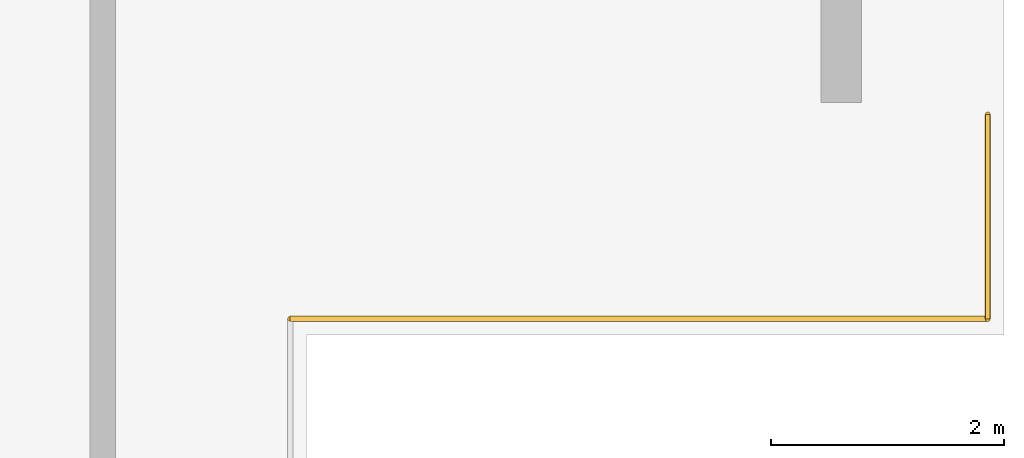
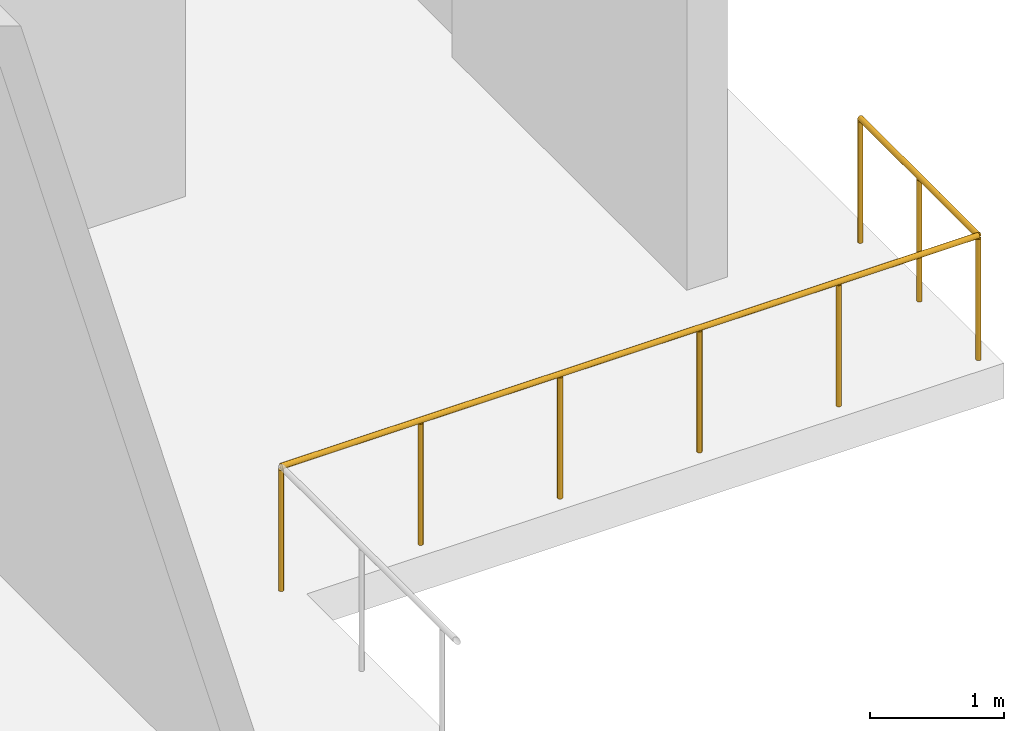
# One storey, part 24 of 27: 2 railings.
"""IFC4 building model written with IfcOpenShell, lengths in metres."""

from ifc_helpers import new_model, si_unit, direction, frame, origin, origin_2d, place, context, subcontext, project, spatial, circle, extrude, material, type_object, element, save


model = new_model("IFC4")

# Units and contexts
model_context = context("Model", 3, precision=1e-05, world=origin(), true_north=direction((0.0, 1.0)))
body_context = subcontext(model_context, "Body", "Model", "MODEL_VIEW")
ifc_project = project(units=[si_unit("LENGTHUNIT", "METRE"), si_unit("AREAUNIT", "SQUARE_METRE"), si_unit("VOLUMEUNIT", "CUBIC_METRE"), si_unit("PLANEANGLEUNIT", "RADIAN"), si_unit("MASSUNIT", "GRAM", prefix="KILO")], contexts=[model_context])

# Site, building, storey
site_placement = place(None, origin())
site = spatial("IfcSite", under=ifc_project, at=site_placement, CompositionType="ELEMENT")
building_placement = place(site_placement, origin())
building = spatial("IfcBuilding", under=site, at=building_placement, Name="Mirazonda Arch Towers", CompositionType="ELEMENT")
storey_placement = place(building_placement, origin())
storey = spatial("IfcBuildingStorey", under=building, at=storey_placement, Name="L00", CompositionType="ELEMENT", Elevation=0.0)

# Railings
ifc_material = material(Name="Architectural Brushed Steel S355", Category="steel")
railing_type = type_object("IfcRailingType", Name="GUARD-EXT-1150", PredefinedType="GUARDRAIL", material=ifc_material)
railing_1_placement = place(storey_placement, frame((94.860107421875, 7.139892578125, 0.0)))
element("IfcRailing", 1, at=railing_1_placement, inside=storey, type_object=railing_type, Name="L00 L00 Podium Edge Guard 9 03", PredefinedType="GUARDRAIL", context=body_context, shape_type="SweptSolid", body=[
    extrude(circle(Radius=0.02392578125, at=origin_2d()), frame((0.0, 0.0, 1.1259765625), z_axis=(1.0, 0.0, 0.0), x_axis=(0.0, 1.0, 0.0)), (0.0, 0.0, 1.0), 6.0),
    extrude(circle(Radius=0.02099609375, at=origin_2d()), origin(), (0.0, 0.0, 1.0), 1.101806640625),
    extrude(circle(Radius=0.02099609375, at=origin_2d()), frame((1.199951171875, 0.0, 0.0)), (0.0, 0.0, 1.0), 1.101806640625),
    extrude(circle(Radius=0.02099609375, at=origin_2d()), frame((2.39990234375, 0.0, 0.0)), (0.0, 0.0, 1.0), 1.101806640625),
    extrude(circle(Radius=0.02099609375, at=origin_2d()), frame((3.60009765625, 0.0, 0.0)), (0.0, 0.0, 1.0), 1.101806640625),
    extrude(circle(Radius=0.02099609375, at=origin_2d()), frame((4.800048828125, 0.0, 0.0)), (0.0, 0.0, 1.0), 1.101806640625),
    extrude(circle(Radius=0.02099609375, at=origin_2d()), frame((6.0, 0.0, 0.0)), (0.0, 0.0, 1.0), 1.101806640625),
])
railing_2_placement = place(storey_placement, frame((100.860107421875, 7.139892578125, 0.0)))
element("IfcRailing", 2, at=railing_2_placement, inside=storey, type_object=railing_type, Name="L00 L00 Podium Edge Guard 9 04", PredefinedType="GUARDRAIL", context=body_context, shape_type="SweptSolid", body=[
    extrude(circle(Radius=0.02392578125, at=origin_2d()), frame((0.0, 0.0, 1.1259765625), z_axis=(0.0, 1.0, 0.0), x_axis=(-1.0, 0.0, 0.0)), (0.0, 0.0, 1.0), 1.760009765625),
    extrude(circle(Radius=0.02099609375, at=origin_2d()), origin(), (0.0, 0.0, 1.0), 1.101806640625),
    extrude(circle(Radius=0.02099609375, at=origin_2d()), frame((0.0, 0.8798828125, 0.0)), (0.0, 0.0, 1.0), 1.101806640625),
    extrude(circle(Radius=0.02099609375, at=origin_2d()), frame((0.0, 1.760009765625, 0.0)), (0.0, 0.0, 1.0), 1.101806640625),
])

save(model, "model.ifc")
